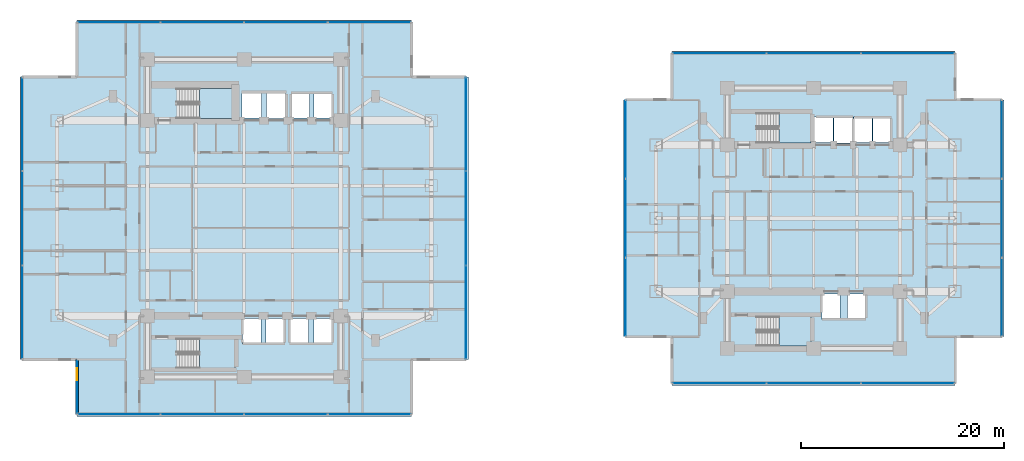
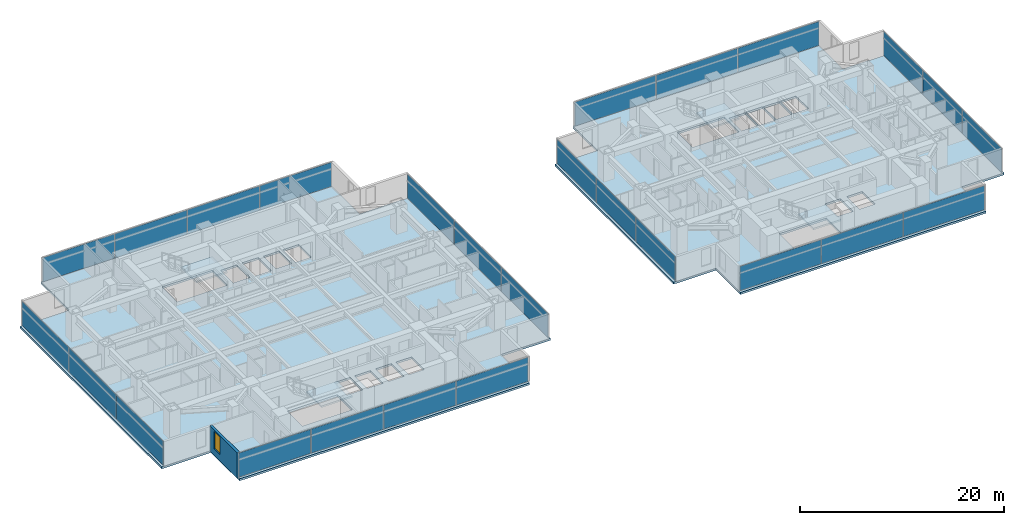
# One storey, part 12 of 25: 26 plates, 6 slabs, 1 wall, 1 window, 1 opening, 12 elements without a shape of their own.
"""IFC4 building model written with IfcOpenShell, lengths in metres."""

from ifc_helpers import new_model, si_unit, direction, frame, frame_2d, origin, origin_2d, place, context, subcontext, project, spatial, polyline, rectangle, outline, extrude, material, layer, layer_set, type_object, element, fill, aggregate, save


model = new_model("IFC4")

# Units and contexts
model_context = context("Model", 3, precision=1e-05, world=origin(), true_north=direction((0.0, 1.0)))
body_context = subcontext(model_context, "Body", "Model", "MODEL_VIEW")
ifc_project = project(units=[si_unit("LENGTHUNIT", "METRE"), si_unit("AREAUNIT", "SQUARE_METRE"), si_unit("VOLUMEUNIT", "CUBIC_METRE"), si_unit("PLANEANGLEUNIT", "RADIAN"), si_unit("MASSUNIT", "GRAM", prefix="KILO")], contexts=[model_context])

# Site, building, storey
site_placement = place(None, origin())
site = spatial("IfcSite", under=ifc_project, at=site_placement, CompositionType="ELEMENT")
building_placement = place(site_placement, origin())
building = spatial("IfcBuilding", under=site, at=building_placement, Name="Mirazonda Arch Towers", CompositionType="ELEMENT")
storey_placement = place(building_placement, frame((0.0, 0.0, 32.300048828125)))
storey = spatial("IfcBuildingStorey", under=building, at=storey_placement, Name="L08", CompositionType="ELEMENT", Elevation=32.300048828125)

# Curtain wall, plates
ifc_material_1 = material(Name="Anodised Aluminium and Low-E Glass", Category="aluminium")
curtain_wall_type = type_object("IfcCurtainWallType", Name="CW-HTL-UNIT", PredefinedType="NOTDEFINED", material=ifc_material_1)
curtain_wall_1_placement = place(storey_placement, origin())
curtain_wall_1 = element("IfcCurtainWall", 1, at=curtain_wall_1_placement, inside=storey, type_object=curtain_wall_type, Name="L08 T1 S Facade CW-L08-T1-S", PredefinedType="NOTDEFINED")
ifc_material_2 = material(Name="Insulated Low-E Solar Glass", Category="glass")
ifc_layer_1 = layer(ifc_material_2, 0.035888671875, Name="PAN-CW-HTL-UNIT")
ifc_layer_set_1 = layer_set([ifc_layer_1], Name="Insulated Low-E Solar Glass")
plate_type = type_object("IfcPlateType", Name="PAN-CW-HTL-UNIT", PredefinedType="CURTAIN_PANEL", material=ifc_layer_set_1)
plate_1_placement = place(storey_placement, frame((32.811279296875, 8.72607421875, 0.0751953125), z_axis=(0.0, 0.0, 1.0), x_axis=(-1.0, 0.0, 0.0)))
plate_1 = element("IfcPlate", 2, at=plate_1_placement, type_object=plate_type, Name="CW-112 panel 1.1", PredefinedType="CURTAIN_PANEL", context=body_context, shape_type="SweptSolid", body=[
    extrude(rectangle(XDim=8.107421875, YDim=0.035888671875, at=origin_2d()), origin(), (0.0, 0.0, 1.0), 2.889892578125),
])
plate_2_placement = place(storey_placement, frame((24.610107421875, 8.72607421875, 0.0751953125), z_axis=(0.0, 0.0, 1.0), x_axis=(-1.0, 0.0, 0.0)))
plate_2 = element("IfcPlate", 3, at=plate_2_placement, type_object=plate_type, Name="CW-112 panel 2.1", PredefinedType="CURTAIN_PANEL", context=body_context, shape_type="SweptSolid", body=[
    extrude(rectangle(XDim=8.14501953125, YDim=0.035888671875, at=origin_2d()), origin(), (0.0, 0.0, 1.0), 2.889892578125),
])
plate_3_placement = place(storey_placement, frame((16.389892578125, 8.72607421875, 0.0751953125), z_axis=(0.0, 0.0, 1.0), x_axis=(-1.0, 0.0, 0.0)))
plate_3 = element("IfcPlate", 4, at=plate_3_placement, type_object=plate_type, Name="CW-112 panel 3.1", PredefinedType="CURTAIN_PANEL", context=body_context, shape_type="SweptSolid", body=[
    extrude(rectangle(XDim=8.14501953125, YDim=0.035888671875, at=origin_2d()), origin(), (0.0, 0.0, 1.0), 2.889892578125),
])
plate_4_placement = place(storey_placement, frame((8.188720703125, 8.72607421875, 0.0751953125), z_axis=(0.0, 0.0, 1.0), x_axis=(-1.0, 0.0, 0.0)))
plate_4 = element("IfcPlate", 5, at=plate_4_placement, type_object=plate_type, Name="CW-112 panel 4.1", PredefinedType="CURTAIN_PANEL", context=body_context, shape_type="SweptSolid", body=[
    extrude(rectangle(XDim=8.107421875, YDim=0.035888671875, at=origin_2d()), origin(), (0.0, 0.0, 1.0), 2.889892578125),
])
aggregate(curtain_wall_1, [plate_1, plate_2, plate_3, plate_4])

curtain_wall_2_placement = place(storey_placement, origin())
curtain_wall_2 = element("IfcCurtainWall", 6, at=curtain_wall_2_placement, inside=storey, type_object=curtain_wall_type, Name="L08 T1 E Facade CW-L08-T1-E", PredefinedType="NOTDEFINED")
plate_5_placement = place(storey_placement, frame((42.320068359375, 18.756103515625, 0.0751953125), z_axis=(0.0, 0.0, 1.0), x_axis=(0.0, 1.0, 0.0)))
plate_5 = element("IfcPlate", 7, at=plate_5_placement, type_object=plate_type, Name="CW-112 panel 1.1", PredefinedType="CURTAIN_PANEL", context=body_context, shape_type="SweptSolid", body=[
    extrude(rectangle(XDim=9.150146484375, YDim=0.035888671875, at=origin_2d()), origin(), (0.0, 0.0, 1.0), 2.889892578125),
])
plate_6_placement = place(storey_placement, frame((42.320068359375, 28.0, 0.0751953125), z_axis=(0.0, 0.0, 1.0), x_axis=(0.0, 1.0, 0.0)))
plate_6 = element("IfcPlate", 8, at=plate_6_placement, type_object=plate_type, Name="CW-112 panel 2.1", PredefinedType="CURTAIN_PANEL", context=body_context, shape_type="SweptSolid", body=[
    extrude(rectangle(XDim=9.187744140625, YDim=0.035888671875, at=origin_2d()), origin(), (0.0, 0.0, 1.0), 2.889892578125),
])
plate_7_placement = place(storey_placement, frame((42.320068359375, 37.243896484375, 0.0751953125), z_axis=(0.0, 0.0, 1.0), x_axis=(0.0, 1.0, 0.0)))
plate_7 = element("IfcPlate", 9, at=plate_7_placement, type_object=plate_type, Name="CW-112 panel 3.1", PredefinedType="CURTAIN_PANEL", context=body_context, shape_type="SweptSolid", body=[
    extrude(rectangle(XDim=9.150146484375, YDim=0.035888671875, at=origin_2d()), origin(), (0.0, 0.0, 1.0), 2.889892578125),
])
aggregate(curtain_wall_2, [plate_5, plate_6, plate_7])

curtain_wall_3_placement = place(storey_placement, origin())
curtain_wall_3 = element("IfcCurtainWall", 10, at=curtain_wall_3_placement, inside=storey, type_object=curtain_wall_type, Name="L08 T1 N Facade CW-L08-T1-N", PredefinedType="NOTDEFINED")
plate_8_placement = place(storey_placement, frame((8.188720703125, 47.27392578125, 0.0751953125), z_axis=(0.0, 0.0, 1.0), x_axis=(1.0, 0.0, 0.0)))
plate_8 = element("IfcPlate", 11, at=plate_8_placement, type_object=plate_type, Name="CW-112 panel 1.1", PredefinedType="CURTAIN_PANEL", context=body_context, shape_type="SweptSolid", body=[
    extrude(rectangle(XDim=8.107421875, YDim=0.035888671875, at=origin_2d()), origin(), (0.0, 0.0, 1.0), 2.889892578125),
])
plate_9_placement = place(storey_placement, frame((16.389892578125, 47.27392578125, 0.0751953125), z_axis=(0.0, 0.0, 1.0), x_axis=(1.0, 0.0, 0.0)))
plate_9 = element("IfcPlate", 12, at=plate_9_placement, type_object=plate_type, Name="CW-112 panel 2.1", PredefinedType="CURTAIN_PANEL", context=body_context, shape_type="SweptSolid", body=[
    extrude(rectangle(XDim=8.14501953125, YDim=0.035888671875, at=origin_2d()), origin(), (0.0, 0.0, 1.0), 2.889892578125),
])
plate_10_placement = place(storey_placement, frame((24.610107421875, 47.27392578125, 0.0751953125), z_axis=(0.0, 0.0, 1.0), x_axis=(1.0, 0.0, 0.0)))
plate_10 = element("IfcPlate", 13, at=plate_10_placement, type_object=plate_type, Name="CW-112 panel 3.1", PredefinedType="CURTAIN_PANEL", context=body_context, shape_type="SweptSolid", body=[
    extrude(rectangle(XDim=8.14501953125, YDim=0.035888671875, at=origin_2d()), origin(), (0.0, 0.0, 1.0), 2.889892578125),
])
plate_11_placement = place(storey_placement, frame((32.811279296875, 47.27392578125, 0.0751953125), z_axis=(0.0, 0.0, 1.0), x_axis=(1.0, 0.0, 0.0)))
plate_11 = element("IfcPlate", 14, at=plate_11_placement, type_object=plate_type, Name="CW-112 panel 4.1", PredefinedType="CURTAIN_PANEL", context=body_context, shape_type="SweptSolid", body=[
    extrude(rectangle(XDim=8.107421875, YDim=0.035888671875, at=origin_2d()), origin(), (0.0, 0.0, 1.0), 2.889892578125),
])
aggregate(curtain_wall_3, [plate_8, plate_9, plate_10, plate_11])

curtain_wall_4_placement = place(storey_placement, origin())
curtain_wall_4 = element("IfcCurtainWall", 15, at=curtain_wall_4_placement, inside=storey, type_object=curtain_wall_type, Name="L08 T1 W Facade CW-L08-T1-W", PredefinedType="NOTDEFINED")
plate_12_placement = place(storey_placement, frame((-1.320068359375, 37.243896484375, 0.0751953125), z_axis=(0.0, 0.0, 1.0), x_axis=(0.0, -1.0, 0.0)))
plate_12 = element("IfcPlate", 16, at=plate_12_placement, type_object=plate_type, Name="CW-112 panel 1.1", PredefinedType="CURTAIN_PANEL", context=body_context, shape_type="SweptSolid", body=[
    extrude(rectangle(XDim=9.150146484375, YDim=0.035888671875, at=origin_2d()), origin(), (0.0, 0.0, 1.0), 2.889892578125),
])
plate_13_placement = place(storey_placement, frame((-1.320068359375, 28.0, 0.0751953125), z_axis=(0.0, 0.0, 1.0), x_axis=(0.0, -1.0, 0.0)))
plate_13 = element("IfcPlate", 17, at=plate_13_placement, type_object=plate_type, Name="CW-112 panel 2.1", PredefinedType="CURTAIN_PANEL", context=body_context, shape_type="SweptSolid", body=[
    extrude(rectangle(XDim=9.187744140625, YDim=0.035888671875, at=origin_2d()), origin(), (0.0, 0.0, 1.0), 2.889892578125),
])
plate_14_placement = place(storey_placement, frame((-1.320068359375, 18.756103515625, 0.0751953125), z_axis=(0.0, 0.0, 1.0), x_axis=(0.0, -1.0, 0.0)))
plate_14 = element("IfcPlate", 18, at=plate_14_placement, type_object=plate_type, Name="CW-112 panel 3.1", PredefinedType="CURTAIN_PANEL", context=body_context, shape_type="SweptSolid", body=[
    extrude(rectangle(XDim=9.150146484375, YDim=0.035888671875, at=origin_2d()), origin(), (0.0, 0.0, 1.0), 2.889892578125),
])
aggregate(curtain_wall_4, [plate_12, plate_13, plate_14])

curtain_wall_5_placement = place(storey_placement, origin())
curtain_wall_5 = element("IfcCurtainWall", 19, at=curtain_wall_5_placement, inside=storey, type_object=curtain_wall_type, Name="L08 T2 S Facade CW-L08-T2-S", PredefinedType="NOTDEFINED")
plate_15_placement = place(storey_placement, frame((85.75732421875, 11.77001953125, 0.0751953125), z_axis=(0.0, 0.0, 1.0), x_axis=(-1.0, 0.0, 0.0)))
plate_15 = element("IfcPlate", 20, at=plate_15_placement, type_object=plate_type, Name="CW-112 panel 1.1", PredefinedType="CURTAIN_PANEL", context=body_context, shape_type="SweptSolid", body=[
    extrude(rectangle(XDim=9.16357421875, YDim=0.035888671875, at=origin_2d()), origin(), (0.0, 0.0, 1.0), 2.889892578125),
])
plate_16_placement = place(storey_placement, frame((76.5, 11.77001953125, 0.0751953125), z_axis=(0.0, 0.0, 1.0), x_axis=(-1.0, 0.0, 0.0)))
plate_16 = element("IfcPlate", 21, at=plate_16_placement, type_object=plate_type, Name="CW-112 panel 2.1", PredefinedType="CURTAIN_PANEL", context=body_context, shape_type="SweptSolid", body=[
    extrude(rectangle(XDim=9.200927734375, YDim=0.035888671875, at=origin_2d()), origin(), (0.0, 0.0, 1.0), 2.889892578125),
])
plate_17_placement = place(storey_placement, frame((67.24267578125, 11.77001953125, 0.0751953125), z_axis=(0.0, 0.0, 1.0), x_axis=(-1.0, 0.0, 0.0)))
plate_17 = element("IfcPlate", 22, at=plate_17_placement, type_object=plate_type, Name="CW-112 panel 3.1", PredefinedType="CURTAIN_PANEL", context=body_context, shape_type="SweptSolid", body=[
    extrude(rectangle(XDim=9.16357421875, YDim=0.035888671875, at=origin_2d()), origin(), (0.0, 0.0, 1.0), 2.889892578125),
])
aggregate(curtain_wall_5, [plate_15, plate_16, plate_17])

curtain_wall_6_placement = place(storey_placement, origin())
curtain_wall_6 = element("IfcCurtainWall", 23, at=curtain_wall_6_placement, inside=storey, type_object=curtain_wall_type, Name="L08 T2 E Facade CW-L08-T2-E", PredefinedType="NOTDEFINED")
plate_18_placement = place(storey_placement, frame((94.993896484375, 20.252197265625, 0.0751953125), z_axis=(0.0, 0.0, 1.0), x_axis=(0.0, 1.0, 0.0)))
plate_18 = element("IfcPlate", 24, at=plate_18_placement, type_object=plate_type, Name="CW-112 panel 1.1", PredefinedType="CURTAIN_PANEL", context=body_context, shape_type="SweptSolid", body=[
    extrude(rectangle(XDim=7.654052734375, YDim=0.035888671875, at=origin_2d()), origin(), (0.0, 0.0, 1.0), 2.889892578125),
])
plate_19_placement = place(storey_placement, frame((94.993896484375, 28.0, 0.0751953125), z_axis=(0.0, 0.0, 1.0), x_axis=(0.0, 1.0, 0.0)))
plate_19 = element("IfcPlate", 25, at=plate_19_placement, type_object=plate_type, Name="CW-112 panel 2.1", PredefinedType="CURTAIN_PANEL", context=body_context, shape_type="SweptSolid", body=[
    extrude(rectangle(XDim=7.691650390625, YDim=0.035888671875, at=origin_2d()), origin(), (0.0, 0.0, 1.0), 2.889892578125),
])
plate_20_placement = place(storey_placement, frame((94.993896484375, 35.747802734375, 0.0751953125), z_axis=(0.0, 0.0, 1.0), x_axis=(0.0, 1.0, 0.0)))
plate_20 = element("IfcPlate", 26, at=plate_20_placement, type_object=plate_type, Name="CW-112 panel 3.1", PredefinedType="CURTAIN_PANEL", context=body_context, shape_type="SweptSolid", body=[
    extrude(rectangle(XDim=7.654052734375, YDim=0.035888671875, at=origin_2d()), origin(), (0.0, 0.0, 1.0), 2.889892578125),
])
aggregate(curtain_wall_6, [plate_18, plate_19, plate_20])

curtain_wall_7_placement = place(storey_placement, origin())
curtain_wall_7 = element("IfcCurtainWall", 27, at=curtain_wall_7_placement, inside=storey, type_object=curtain_wall_type, Name="L08 T2 N Facade CW-L08-T2-N", PredefinedType="NOTDEFINED")
plate_21_placement = place(storey_placement, frame((67.24267578125, 44.22998046875, 0.0751953125), z_axis=(0.0, 0.0, 1.0), x_axis=(1.0, 0.0, 0.0)))
plate_21 = element("IfcPlate", 28, at=plate_21_placement, type_object=plate_type, Name="CW-112 panel 1.1", PredefinedType="CURTAIN_PANEL", context=body_context, shape_type="SweptSolid", body=[
    extrude(rectangle(XDim=9.16357421875, YDim=0.035888671875, at=origin_2d()), origin(), (0.0, 0.0, 1.0), 2.889892578125),
])
plate_22_placement = place(storey_placement, frame((76.5, 44.22998046875, 0.0751953125), z_axis=(0.0, 0.0, 1.0), x_axis=(1.0, 0.0, 0.0)))
plate_22 = element("IfcPlate", 29, at=plate_22_placement, type_object=plate_type, Name="CW-112 panel 2.1", PredefinedType="CURTAIN_PANEL", context=body_context, shape_type="SweptSolid", body=[
    extrude(rectangle(XDim=9.200927734375, YDim=0.035888671875, at=origin_2d()), origin(), (0.0, 0.0, 1.0), 2.889892578125),
])
plate_23_placement = place(storey_placement, frame((85.75732421875, 44.22998046875, 0.0751953125), z_axis=(0.0, 0.0, 1.0), x_axis=(1.0, 0.0, 0.0)))
plate_23 = element("IfcPlate", 30, at=plate_23_placement, type_object=plate_type, Name="CW-112 panel 3.1", PredefinedType="CURTAIN_PANEL", context=body_context, shape_type="SweptSolid", body=[
    extrude(rectangle(XDim=9.16357421875, YDim=0.035888671875, at=origin_2d()), origin(), (0.0, 0.0, 1.0), 2.889892578125),
])
aggregate(curtain_wall_7, [plate_21, plate_22, plate_23])

curtain_wall_8_placement = place(storey_placement, origin())
curtain_wall_8 = element("IfcCurtainWall", 31, at=curtain_wall_8_placement, inside=storey, type_object=curtain_wall_type, Name="L08 T2 W Facade CW-L08-T2-W", PredefinedType="NOTDEFINED")
plate_24_placement = place(storey_placement, frame((58.006103515625, 35.747802734375, 0.0751953125), z_axis=(0.0, 0.0, 1.0), x_axis=(0.0, -1.0, 0.0)))
plate_24 = element("IfcPlate", 32, at=plate_24_placement, type_object=plate_type, Name="CW-112 panel 1.1", PredefinedType="CURTAIN_PANEL", context=body_context, shape_type="SweptSolid", body=[
    extrude(rectangle(XDim=7.654052734375, YDim=0.035888671875, at=origin_2d()), origin(), (0.0, 0.0, 1.0), 2.889892578125),
])
plate_25_placement = place(storey_placement, frame((58.006103515625, 28.0, 0.0751953125), z_axis=(0.0, 0.0, 1.0), x_axis=(0.0, -1.0, 0.0)))
plate_25 = element("IfcPlate", 33, at=plate_25_placement, type_object=plate_type, Name="CW-112 panel 2.1", PredefinedType="CURTAIN_PANEL", context=body_context, shape_type="SweptSolid", body=[
    extrude(rectangle(XDim=7.691650390625, YDim=0.035888671875, at=origin_2d()), origin(), (0.0, 0.0, 1.0), 2.889892578125),
])
plate_26_placement = place(storey_placement, frame((58.006103515625, 20.252197265625, 0.0751953125), z_axis=(0.0, 0.0, 1.0), x_axis=(0.0, -1.0, 0.0)))
plate_26 = element("IfcPlate", 34, at=plate_26_placement, type_object=plate_type, Name="CW-112 panel 3.1", PredefinedType="CURTAIN_PANEL", context=body_context, shape_type="SweptSolid", body=[
    extrude(rectangle(XDim=7.654052734375, YDim=0.035888671875, at=origin_2d()), origin(), (0.0, 0.0, 1.0), 2.889892578125),
])
aggregate(curtain_wall_8, [plate_24, plate_25, plate_26])

# Stair, slab
ifc_material_3 = material(Name="Concrete C40/50", Category="concrete")
stair_type = type_object("IfcStairType", Name="STAIR-CORE-1400", PredefinedType="HALF_TURN_STAIR", material=ifc_material_3)
stair_1_placement = place(storey_placement, origin())
stair_1 = element("IfcStair", 35, at=stair_1_placement, inside=storey, type_object=stair_type, Name="L08 Protected Exit Stair ST-T1N", PredefinedType="HALF_TURN_STAIR")
ifc_layer_2 = layer(ifc_material_3, 0.18994140625, Name="SLAB-LANDING-190")
ifc_layer_set_2 = layer_set([ifc_layer_2], Name="Concrete C40/50")
slab_type_1 = type_object("IfcSlabType", Name="SLAB-LANDING-190", PredefinedType="LANDING", material=ifc_layer_set_2)
slab_1_placement = place(storey_placement, frame((0.0, 0.0, 1.449951171875)))
slab_1 = element("IfcSlab", 36, at=slab_1_placement, type_object=slab_type_1, Name="ST-T1N landing 1", PredefinedType="LANDING", context=body_context, shape_type="SweptSolid", body=[
    extrude(outline(polyline([(16.090087890625, 37.820068359375), (19.60009765625, 37.820068359375), (19.60009765625, 40.760009765625), (16.090087890625, 40.760009765625), (16.090087890625, 37.820068359375)])), origin(), (0.0, 0.0, 1.0), 0.199951171875),
])
aggregate(stair_1, [slab_1])

stair_2_placement = place(storey_placement, origin())
stair_2 = element("IfcStair", 37, at=stair_2_placement, inside=storey, type_object=stair_type, Name="L08 Protected Exit Stair ST-T1S", PredefinedType="HALF_TURN_STAIR")
slab_2_placement = place(storey_placement, frame((0.0, 0.0, 1.449951171875)))
slab_2 = element("IfcSlab", 38, at=slab_2_placement, type_object=slab_type_1, Name="ST-T1S landing 1", PredefinedType="LANDING", context=body_context, shape_type="SweptSolid", body=[
    extrude(outline(polyline([(16.090087890625, 13.25), (19.60009765625, 13.25), (19.60009765625, 16.18994140625), (16.090087890625, 16.18994140625), (16.090087890625, 13.25)])), origin(), (0.0, 0.0, 1.0), 0.199951171875),
])
aggregate(stair_2, [slab_2])

stair_3_placement = place(storey_placement, origin())
stair_3 = element("IfcStair", 39, at=stair_3_placement, inside=storey, type_object=stair_type, Name="L08 Protected Exit Stair ST-T2N", PredefinedType="HALF_TURN_STAIR")
slab_3_placement = place(storey_placement, frame((0.0, 0.0, 1.449951171875)))
slab_3 = element("IfcSlab", 40, at=slab_3_placement, type_object=slab_type_1, Name="ST-T2N landing 1", PredefinedType="LANDING", context=body_context, shape_type="SweptSolid", body=[
    extrude(outline(polyline([(73.090087890625, 35.419921875), (76.22998046875, 35.419921875), (76.22998046875, 38.360107421875), (73.090087890625, 38.360107421875), (73.090087890625, 35.419921875)])), origin(), (0.0, 0.0, 1.0), 0.199951171875),
])
aggregate(stair_3, [slab_3])

stair_4_placement = place(storey_placement, origin())
stair_4 = element("IfcStair", 41, at=stair_4_placement, inside=storey, type_object=stair_type, Name="L08 Protected Exit Stair ST-T2S", PredefinedType="HALF_TURN_STAIR")
slab_4_placement = place(storey_placement, frame((0.0, 0.0, 1.449951171875)))
slab_4 = element("IfcSlab", 42, at=slab_4_placement, type_object=slab_type_1, Name="ST-T2S landing 1", PredefinedType="LANDING", context=body_context, shape_type="SweptSolid", body=[
    extrude(outline(polyline([(73.090087890625, 15.419921875), (76.22998046875, 15.419921875), (76.22998046875, 18.360107421875), (73.090087890625, 18.360107421875), (73.090087890625, 15.419921875)])), origin(), (0.0, 0.0, 1.0), 0.199951171875),
])
aggregate(stair_4, [slab_4])

# Slabs
ifc_layer_3 = layer(ifc_material_3, 0.239990234375, Name="SLAB-TWR-240")
ifc_layer_set_3 = layer_set([ifc_layer_3], Name="Concrete C40/50")
slab_type_2 = type_object("IfcSlabType", Name="SLAB-TWR-240", PredefinedType="FLOOR", material=ifc_layer_set_3)
slab_5_placement = place(storey_placement, frame((0.0, 0.0, -0.239990234375)))
element("IfcSlab", 43, at=slab_5_placement, inside=storey, type_object=slab_type_2, Name="L08 Tower 1 Floor Slab", PredefinedType="FLOOR", context=body_context, shape_type="SweptSolid", body=[
    extrude(outline(polyline([(4.06005859375, 8.506103515625), (36.93994140625, 8.506103515625), (36.93994140625, 14.10595703125), (42.5400390625, 14.10595703125), (42.5400390625, 41.89404296875), (36.93994140625, 41.89404296875), (36.93994140625, 47.493896484375), (4.06005859375, 47.493896484375), (4.06005859375, 41.89404296875), (-1.5400390625, 41.89404296875), (-1.5400390625, 14.10595703125), (4.06005859375, 14.10595703125), (4.06005859375, 8.506103515625)]), holes=[polyline([(29.139892578125, 18.139892578125), (29.139892578125, 15.659912109375), (27.360107421875, 15.659912109375), (27.360107421875, 18.139892578125), (29.139892578125, 18.139892578125)]), polyline([(29.139892578125, 40.340087890625), (29.139892578125, 37.860107421875), (27.360107421875, 37.860107421875), (27.360107421875, 40.340087890625), (29.139892578125, 40.340087890625)]), polyline([(25.159912109375, 40.340087890625), (26.93994140625, 40.340087890625), (26.93994140625, 37.860107421875), (25.159912109375, 37.860107421875), (25.159912109375, 40.340087890625)]), polyline([(26.840087890625, 18.139892578125), (26.840087890625, 15.659912109375), (25.06005859375, 15.659912109375), (25.06005859375, 18.139892578125), (26.840087890625, 18.139892578125)]), polyline([(22.7099609375, 40.389892578125), (24.590087890625, 40.389892578125), (24.590087890625, 37.81005859375), (22.7099609375, 37.81005859375), (22.7099609375, 40.389892578125)]), polyline([(22.659912109375, 18.139892578125), (24.43994140625, 18.139892578125), (24.43994140625, 15.659912109375), (22.659912109375, 15.659912109375), (22.659912109375, 18.139892578125)]), polyline([(20.31005859375, 40.340087890625), (22.18994140625, 40.340087890625), (22.18994140625, 37.860107421875), (20.31005859375, 37.860107421875), (20.31005859375, 40.340087890625)]), polyline([(20.360107421875, 18.139892578125), (22.139892578125, 18.139892578125), (22.139892578125, 15.659912109375), (20.360107421875, 15.659912109375), (20.360107421875, 18.139892578125)]), polyline([(13.925048828125, 40.760009765625), (19.60009765625, 40.760009765625), (19.60009765625, 37.820068359375), (13.925048828125, 37.820068359375), (13.925048828125, 40.760009765625)]), polyline([(13.925048828125, 13.25), (13.925048828125, 16.18994140625), (19.60009765625, 16.18994140625), (19.60009765625, 13.25), (13.925048828125, 13.25)])]), origin(), (0.0, 0.0, 1.0), 0.239990234375),
])
slab_6_placement = place(storey_placement, frame((0.0, 0.0, -0.239990234375)))
element("IfcSlab", 44, at=slab_6_placement, inside=storey, type_object=slab_type_2, Name="L08 Tower 2 Floor Slab", PredefinedType="FLOOR", context=body_context, shape_type="SweptSolid", body=[
    extrude(outline(polyline([(62.5859375, 11.550048828125), (90.4140625, 11.550048828125), (90.4140625, 16.35009765625), (95.214111328125, 16.35009765625), (95.214111328125, 39.64990234375), (90.4140625, 39.64990234375), (90.4140625, 44.449951171875), (62.5859375, 44.449951171875), (62.5859375, 39.64990234375), (57.785888671875, 39.64990234375), (57.785888671875, 16.35009765625), (62.5859375, 16.35009765625), (62.5859375, 11.550048828125)]), holes=[polyline([(82.330078125, 37.93994140625), (84.110107421875, 37.93994140625), (84.110107421875, 35.4599609375), (82.330078125, 35.4599609375), (82.330078125, 37.93994140625)]), polyline([(80.449951171875, 37.93994140625), (82.22998046875, 37.93994140625), (82.22998046875, 35.4599609375), (80.449951171875, 35.4599609375), (80.449951171875, 37.93994140625)]), polyline([(79.81005859375, 20.5400390625), (81.590087890625, 20.5400390625), (81.590087890625, 18.06005859375), (79.81005859375, 18.06005859375), (79.81005859375, 20.5400390625)]), polyline([(78.47998046875, 37.989990234375), (80.360107421875, 37.989990234375), (80.360107421875, 35.409912109375), (78.47998046875, 35.409912109375), (78.47998046875, 37.989990234375)]), polyline([(77.31005859375, 20.5400390625), (79.090087890625, 20.5400390625), (79.090087890625, 18.06005859375), (77.31005859375, 18.06005859375), (77.31005859375, 20.5400390625)]), polyline([(76.510009765625, 37.93994140625), (78.389892578125, 37.93994140625), (78.389892578125, 35.4599609375), (76.510009765625, 35.4599609375), (76.510009765625, 37.93994140625)]), polyline([(70.925048828125, 15.419921875), (70.925048828125, 18.360107421875), (76.22998046875, 18.360107421875), (76.22998046875, 15.419921875), (70.925048828125, 15.419921875)]), polyline([(70.925048828125, 35.419921875), (70.925048828125, 38.360107421875), (76.22998046875, 38.360107421875), (76.22998046875, 35.419921875), (70.925048828125, 35.419921875)])]), origin(), (0.0, 0.0, 1.0), 0.239990234375),
])

# Wall, opening, window
ifc_material_4 = material(Name="Precast Concrete C40/50", Category="concrete")
ifc_layer_4 = layer(ifc_material_4, 0.280029296875, Name="WALL-EXT-WALL-280")
ifc_layer_set_4 = layer_set([ifc_layer_4], Name="Precast Concrete C40/50")
wall_type = type_object("IfcWallType", Name="WALL-EXT-WALL-280", PredefinedType="SOLIDWALL", material=ifc_layer_set_4)
wall_placement = place(storey_placement, frame((4.06005859375, 14.10595703125, 0.0), z_axis=(0.0, 0.0, 1.0), x_axis=(0.0, -1.0, 0.0)))
wall = element("IfcWall", 45, at=wall_placement, inside=storey, type_object=wall_type, Name="L08 T1 Notched SW Corner Wall WL-L08-T1-CSW", PredefinedType="SOLIDWALL", context=body_context, shape_type="SweptSolid", body=[
    extrude(rectangle(XDim=5.3798828125, YDim=0.280029296875, at=frame_2d((2.68994140625, 0.0))), origin(), (0.0, 0.0, 1.0), 3.0400390625),
])
opening_placement = place(wall_placement, frame((0.85009765625, 0.0, 0.7900390625)))
opening = element("IfcOpeningElement", 46, at=opening_placement, cuts=wall, Name="Opening WN-122", PredefinedType="OPENING", context=body_context, shape_type="SweptSolid", body=[
    extrude(rectangle(XDim=1.199951171875, YDim=2.10009765625, at=frame_2d((0.60009765625, 1.050048828125))), frame((0.0, 0.14990234375, 0.0), z_axis=(0.0, -1.0, 0.0), x_axis=(1.0, 0.0, 0.0)), (0.0, 0.0, 1.0), 0.300048828125),
])
window_type = type_object("IfcWindowType", Name="WIN-HTL-1200x2100", PartitioningType="SINGLE_PANEL", PredefinedType="WINDOW", material=ifc_material_2)
window_placement = place(opening_placement, origin())
window = element("IfcWindow", 47, at=window_placement, inside=storey, type_object=window_type, Name="L08 Punched Facade Window WN-L08-T1-CSW", OverallHeight=2.10009765625, OverallWidth=1.199951171875, PartitioningType="SINGLE_PANEL", PredefinedType="WINDOW", context=body_context, shape_type="SweptSolid", body=[
    extrude(rectangle(XDim=1.199951171875, YDim=2.10009765625, at=frame_2d((0.60009765625, 1.050048828125))), frame((0.0, 0.030029296875, 0.0), z_axis=(0.0, -1.0, 0.0), x_axis=(1.0, 0.0, 0.0)), (0.0, 0.0, 1.0), 0.06005859375),
])
fill(opening, window)

save(model, "model.ifc")
